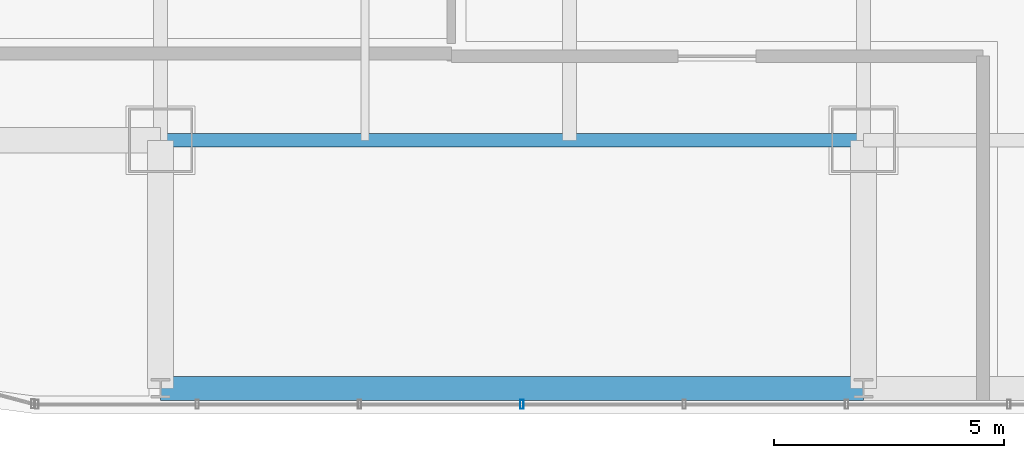
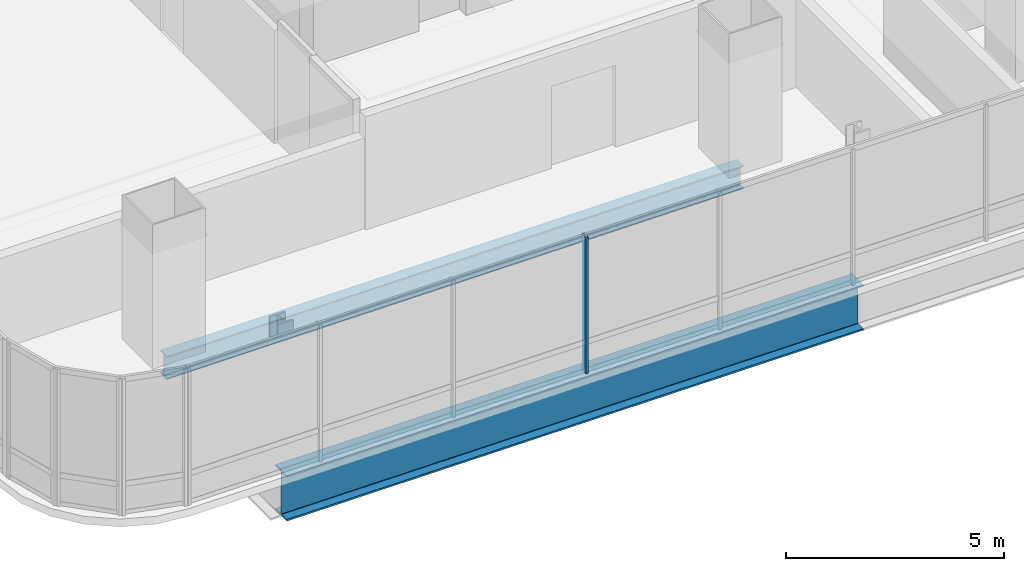
# One storey, part 3 of 36: 2 beams, 1 member, 1 element without a shape of its own.
"""IFC4 building model written with IfcOpenShell, lengths in metres."""

from ifc_helpers import new_model, si_unit, direction, frame, origin, origin_2d, place, context, subcontext, project, spatial, hollow_rectangle, i_section, extrude, material, material_profile, profile_set, type_object, element, aggregate, save


model = new_model("IFC4")

# Units and contexts
model_context = context("Model", 3, precision=1e-05, world=origin(), true_north=direction((0.0, 1.0)))
body_context = subcontext(model_context, "Body", "Model", "MODEL_VIEW")
ifc_project = project(units=[si_unit("LENGTHUNIT", "METRE"), si_unit("AREAUNIT", "SQUARE_METRE"), si_unit("VOLUMEUNIT", "CUBIC_METRE"), si_unit("PLANEANGLEUNIT", "RADIAN"), si_unit("MASSUNIT", "GRAM", prefix="KILO")], contexts=[model_context])

# Site, building, storey
site_placement = place(None, origin())
site = spatial("IfcSite", under=ifc_project, at=site_placement, CompositionType="ELEMENT")
building_placement = place(site_placement, origin())
building = spatial("IfcBuilding", under=site, at=building_placement, Name="Punatoya Terracotta Tower", CompositionType="ELEMENT")
storey_placement = place(building_placement, frame((0.0, 0.0, 196.5)))
storey = spatial("IfcBuildingStorey", under=building, at=storey_placement, Name="L46", CompositionType="ELEMENT", Elevation=196.5)

# Beams
ifc_material_1 = material(Name="Steel S355", Category="steel")
ifc_material_profile_1 = material_profile(ifc_material_1, i_section(OverallWidth=0.300048828125, OverallDepth=0.64990234375, WebThickness=0.01611328125, FlangeThickness=0.031005859375, FilletRadius=0.01806640625, at=origin_2d()))
ifc_profile_set_1 = profile_set([ifc_material_profile_1], Name="Steel S355")
beam_type_1 = type_object("IfcBeamType", Name="BM-PRI-650", PredefinedType="BEAM", material=ifc_profile_set_1)
beam_1_placement = place(storey_placement, frame((-19.10009765625, -17.5, -0.544921875), z_axis=(1.0, 0.0, 0.0), x_axis=(0.0, 1.0, 0.0)))
element("IfcBeam", 1, at=beam_1_placement, inside=storey, type_object=beam_type_1, Name="BM-L46-RG-S1", PredefinedType="BEAM", context=body_context, shape_type="SweptSolid", body=[
    extrude(i_section(OverallWidth=0.300048828125, OverallDepth=0.64990234375, WebThickness=0.01611328125, FlangeThickness=0.031005859375, FilletRadius=0.01806640625, at=origin_2d()), origin(), (0.0, 0.0, 1.0), 15.300048828125),
])
ifc_material_2 = material(Name="Steel S460", Category="steel")
ifc_material_profile_2 = material_profile(ifc_material_2, i_section(OverallWidth=0.52001953125, OverallDepth=1.280029296875, WebThickness=0.031982421875, FlangeThickness=0.050048828125, FilletRadius=0.01806640625, at=origin_2d()))
ifc_profile_set_2 = profile_set([ifc_material_profile_2], Name="Steel S460")
beam_type_2 = type_object("IfcBeamType", Name="BM-TG-NCK", PredefinedType="BEAM", material=ifc_profile_set_2)
beam_2_placement = place(storey_placement, frame((-19.10009765625, -22.89990234375, -0.860107421875), z_axis=(1.0, 0.0, 0.0), x_axis=(0.0, 1.0, 0.0)))
element("IfcBeam", 2, at=beam_2_placement, inside=storey, type_object=beam_type_2, Name="BM-L46-PER-S1", PredefinedType="BEAM", context=body_context, shape_type="SweptSolid", body=[
    extrude(i_section(OverallWidth=0.52001953125, OverallDepth=1.280029296875, WebThickness=0.031982421875, FlangeThickness=0.050048828125, FilletRadius=0.01806640625, at=origin_2d()), origin(), (0.0, 0.0, 1.0), 15.300048828125),
])

# Curtain wall, member
ifc_material_3 = material(Name="Aluminium 6063-T6 + Double Low-E Glass", Category="aluminium")
curtain_wall_type = type_object("IfcCurtainWallType", Name="CW-M2", PredefinedType="NOTDEFINED", material=ifc_material_3)
curtain_wall_placement = place(storey_placement, origin())
curtain_wall = element("IfcCurtainWall", 3, at=curtain_wall_placement, inside=storey, type_object=curtain_wall_type, Name="L46 Curtain Wall CW-L46-S01-1", PredefinedType="NOTDEFINED")
ifc_material_4 = material(Name="Aluminium 6063-T6", Category="aluminium")
ifc_material_profile_3 = material_profile(ifc_material_4, hollow_rectangle(XDim=0.072021484375, YDim=0.195068359375, WallThickness=0.00439453125, at=origin_2d()))
ifc_profile_set_3 = profile_set([ifc_material_profile_3], Name="Aluminium 6063-T6")
member_type = type_object("IfcMemberType", Name="CW-MUL-M2", PredefinedType="MULLION", material=ifc_profile_set_3)
member_placement = place(storey_placement, frame((-11.235107421875, -23.25, 0.0), z_axis=(0.0, 0.0, 1.0), x_axis=(1.0, 0.0, 0.0)))
member = element("IfcMember", 4, at=member_placement, type_object=member_type, Name="CW-L46-S01-1 Mullion 03", PredefinedType="MULLION", context=body_context, shape_type="SweptSolid", body=[
    extrude(hollow_rectangle(XDim=0.072021484375, YDim=0.195068359375, WallThickness=0.00439453125, at=origin_2d()), origin(), (0.0, 0.0, 1.0), 3.830078125),
])
aggregate(curtain_wall, [member])

save(model, "model.ifc")
